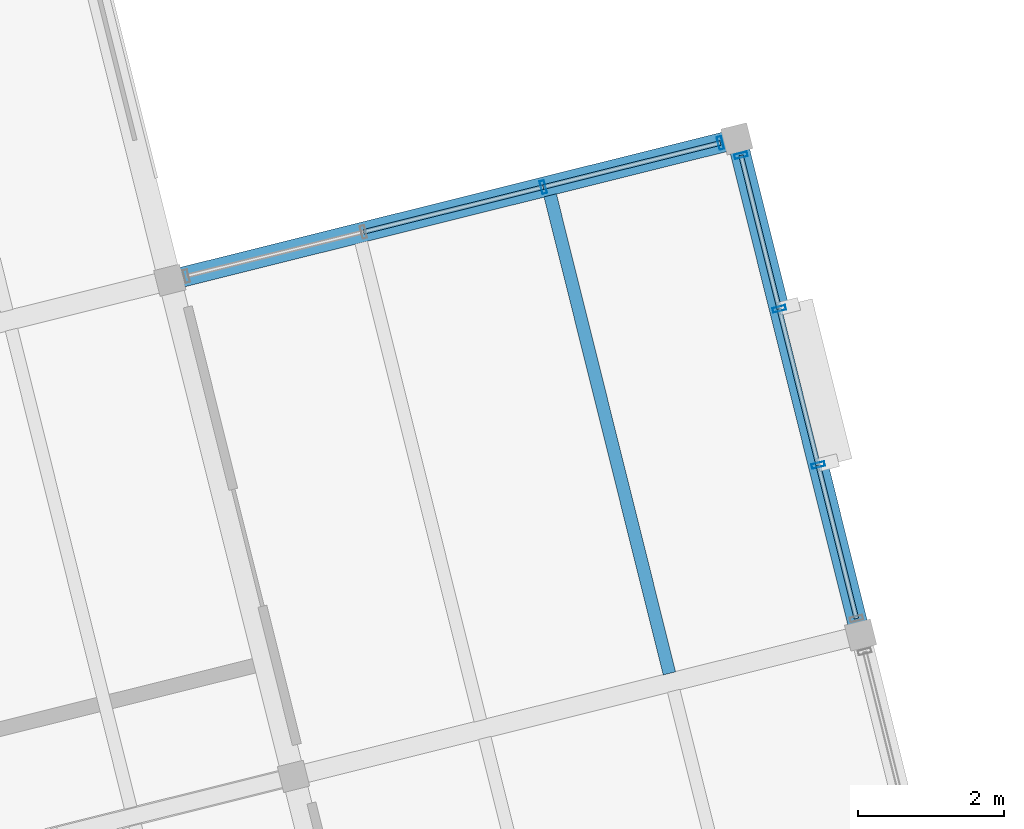
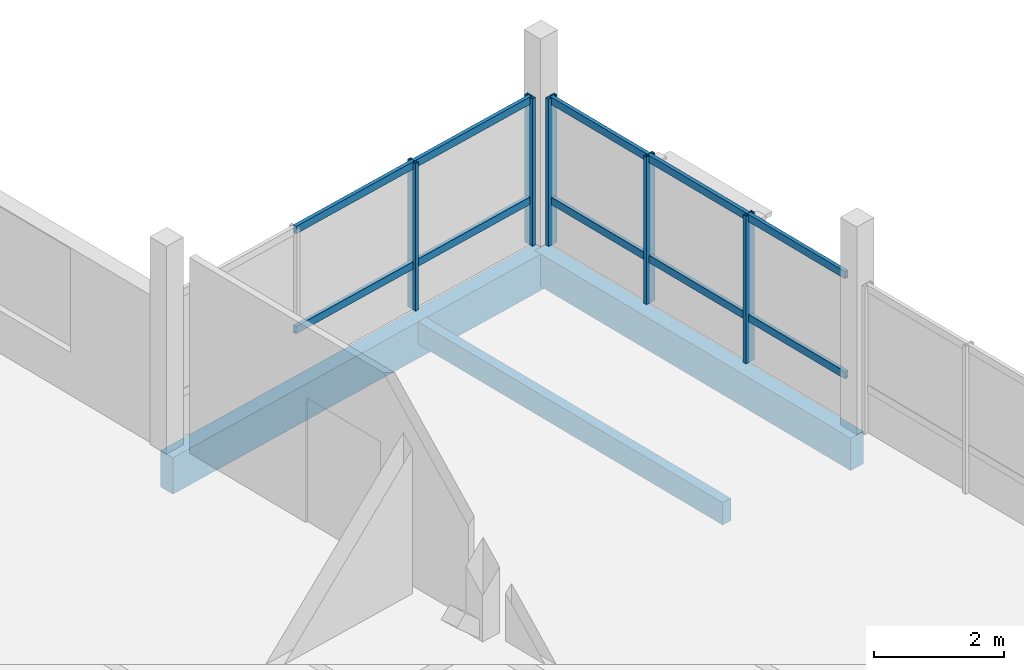
# One storey, part 19 of 26: 15 members, 3 beams, 2 elements without a shape of their own.
"""IFC4 building model written with IfcOpenShell, lengths in metres."""

from ifc_helpers import new_model, si_unit, direction, frame, origin, origin_2d, place, context, subcontext, project, spatial, rectangle, hollow_rectangle, extrude, material, layer, layer_set, material_profile, profile_set, type_object, element, aggregate, save


model = new_model("IFC4")

# Units and contexts
model_context = context("Model", 3, precision=1e-05, world=origin(), true_north=direction((0.0, 1.0)))
body_context = subcontext(model_context, "Body", "Model", "MODEL_VIEW")
ifc_project = project(units=[si_unit("LENGTHUNIT", "METRE"), si_unit("AREAUNIT", "SQUARE_METRE"), si_unit("VOLUMEUNIT", "CUBIC_METRE"), si_unit("PLANEANGLEUNIT", "RADIAN"), si_unit("MASSUNIT", "GRAM", prefix="KILO")], contexts=[model_context])

# Site, building, storey
site_placement = place(None, origin())
site = spatial("IfcSite", under=ifc_project, at=site_placement, CompositionType="ELEMENT")
building_placement = place(site_placement, origin())
building = spatial("IfcBuilding", under=site, at=building_placement, Name="Meriwether Solvik Hall", CompositionType="ELEMENT")
storey_placement = place(building_placement, frame((0.0, 0.0, 41.699951171875)))
storey = spatial("IfcBuildingStorey", under=building, at=storey_placement, Name="L10", CompositionType="ELEMENT", Elevation=41.699951171875)

# Beams
ifc_material_1 = material(Name="Glulam Douglas-Fir 24F-V8 GL28h", Category="wood")
ifc_material_profile_1 = material_profile(ifc_material_1, rectangle(XDim=0.27294921875, YDim=0.610107421875, at=origin_2d()), Name="GLB-273X610")
ifc_profile_set_1 = profile_set([ifc_material_profile_1], Name="Glulam Douglas-Fir 24F-V8 GL28h")
beam_type_1 = type_object("IfcBeamType", Name="BM-GL-273X610", PredefinedType="SPANDREL", material=ifc_profile_set_1)
beam_1_placement = place(storey_placement, frame((106.212646484375, 72.220703125, -0.48486328125), z_axis=(-0.241903692719, 0.970300264582, 0.0), x_axis=(-0.970300264582, -0.241903692719, 0.0)))
element("IfcBeam", 1, at=beam_1_placement, inside=storey, type_object=beam_type_1, Name="Tower Girder T7:TD-TE (L10)", PredefinedType="SPANDREL", context=body_context, shape_type="SweptSolid", body=[
    extrude(rectangle(XDim=0.27294921875, YDim=0.610107421875, at=origin_2d()), origin(), (0.0, 0.0, 1.0), 7.000244140625),
])
ifc_material_2 = material(Name="Glulam Douglas-Fir 24F-V8 GL28h", Category="wood")
ifc_material_profile_2 = material_profile(ifc_material_2, rectangle(XDim=0.27294921875, YDim=0.68505859375, at=origin_2d()), Name="GLB-273X685")
ifc_profile_set_2 = profile_set([ifc_material_profile_2], Name="Glulam Douglas-Fir 24F-V8 GL28h")
beam_type_2 = type_object("IfcBeamType", Name="BM-GL-273X685", PredefinedType="BEAM", material=ifc_profile_set_2)
beam_2_placement = place(storey_placement, frame((96.7568359375, 77.077392578125, -0.5224609375), z_axis=(0.970291312354, 0.241939598187, 0.0), x_axis=(-0.241939598187, 0.970291312354, 0.0)))
element("IfcBeam", 2, at=beam_2_placement, inside=storey, type_object=beam_type_2, Name="Tower Girder TE:T6-T7 (L10)", PredefinedType="BEAM", context=body_context, shape_type="SweptSolid", body=[
    extrude(rectangle(XDim=0.27294921875, YDim=0.68505859375, at=origin_2d()), origin(), (0.0, 0.0, 1.0), 8.000244140625),
])

# Curtain wall, members
ifc_material_3 = material(Name="Thermally Broken Anodised Aluminium 6063-T6 and Low-E Glass", Category="aluminium")
ifc_layer = layer(ifc_material_3, 0.179931640625)
ifc_layer_set = layer_set([ifc_layer], Name="Thermally Broken Anodised Aluminium 6063-T6 and Low-E Glass")
curtain_wall_type = type_object("IfcCurtainWallType", Name="CW-UNIT-E", PredefinedType="USERDEFINED", material=ifc_layer_set)
curtain_wall_1_placement = place(storey_placement, origin())
curtain_wall_1 = element("IfcCurtainWall", 3, at=curtain_wall_1_placement, inside=storey, type_object=curtain_wall_type, Name="Curtain Wall E3_B1 (L10)", ObjectType="UNITISED CURTAIN WALL", PredefinedType="USERDEFINED")
ifc_material_4 = material(Name="Anodised Aluminium 6063-T6", Category="aluminium")
ifc_material_profile_3 = material_profile(ifc_material_4, hollow_rectangle(XDim=0.06494140625, YDim=0.179931640625, WallThickness=0.00439453125, at=origin_2d()), Name="CWM-65X180")
ifc_profile_set_3 = profile_set([ifc_material_profile_3], Name="Anodised Aluminium 6063-T6")
member_type_1 = type_object("IfcMemberType", Name="CW-MUL-65X180", PredefinedType="MULLION", material=ifc_profile_set_3)
member_1_placement = place(storey_placement, frame((104.575439453125, 78.787353515625, 0.0), z_axis=(0.0, 0.0, 1.0), x_axis=(0.241921804422, -0.970295749009, 0.0)))
member_1 = element("IfcMember", 4, at=member_1_placement, type_object=member_type_1, Name="Curtain Wall Mullion 1", PredefinedType="MULLION", context=body_context, shape_type="SweptSolid", body=[
    extrude(hollow_rectangle(XDim=0.06494140625, YDim=0.179931640625, WallThickness=0.00439453125, at=origin_2d()), origin(), (0.0, 0.0, 1.0), 2.77001953125),
])
member_2_placement = place(storey_placement, frame((105.099365234375, 76.685791015625, 0.0), z_axis=(0.0, 0.0, 1.0), x_axis=(0.241921804422, -0.970295749009, 0.0)))
member_2 = element("IfcMember", 5, at=member_2_placement, type_object=member_type_1, Name="Curtain Wall Mullion 2", PredefinedType="MULLION", context=body_context, shape_type="SweptSolid", body=[
    extrude(hollow_rectangle(XDim=0.06494140625, YDim=0.179931640625, WallThickness=0.00439453125, at=origin_2d()), origin(), (0.0, 0.0, 1.0), 2.77001953125),
])
member_3_placement = place(storey_placement, frame((105.632568359375, 74.547607421875, 0.0), z_axis=(0.0, 0.0, 1.0), x_axis=(0.241921804422, -0.970295749009, 0.0)))
member_3 = element("IfcMember", 6, at=member_3_placement, type_object=member_type_1, Name="Curtain Wall Mullion 3", PredefinedType="MULLION", context=body_context, shape_type="SweptSolid", body=[
    extrude(hollow_rectangle(XDim=0.06494140625, YDim=0.179931640625, WallThickness=0.00439453125, at=origin_2d()), origin(), (0.0, 0.0, 1.0), 2.77001953125),
])

curtain_wall_2_placement = place(storey_placement, origin())
curtain_wall_2 = element("IfcCurtainWall", 7, at=curtain_wall_2_placement, inside=storey, type_object=curtain_wall_type, Name="Curtain Wall E4_B0 (L10)", ObjectType="UNITISED CURTAIN WALL", PredefinedType="USERDEFINED")
member_4_placement = place(storey_placement, frame((101.868896484375, 78.35205078125, 0.0), z_axis=(0.0, 0.0, 1.0), x_axis=(0.970295706376, 0.241921975414, 0.0)))
member_4 = element("IfcMember", 8, at=member_4_placement, type_object=member_type_1, Name="Curtain Wall Mullion 3", PredefinedType="MULLION", context=body_context, shape_type="SweptSolid", body=[
    extrude(hollow_rectangle(XDim=0.06494140625, YDim=0.179931640625, WallThickness=0.00439453125, at=origin_2d()), origin(), (0.0, 0.0, 1.0), 2.77001953125),
])
member_5_placement = place(storey_placement, frame((104.293701171875, 78.95654296875, 0.0), z_axis=(0.0, 0.0, 1.0), x_axis=(0.970295706376, 0.241921975414, 0.0)))
member_5 = element("IfcMember", 9, at=member_5_placement, type_object=member_type_1, Name="Curtain Wall Mullion 4", PredefinedType="MULLION", context=body_context, shape_type="SweptSolid", body=[
    extrude(hollow_rectangle(XDim=0.06494140625, YDim=0.179931640625, WallThickness=0.00439453125, at=origin_2d()), origin(), (0.0, 0.0, 1.0), 2.77001953125),
])

# Member
ifc_material_5 = material(Name="Anodised Aluminium 6063-T6", Category="aluminium")
ifc_material_profile_4 = material_profile(ifc_material_5, hollow_rectangle(XDim=0.06494140625, YDim=0.139892578125, WallThickness=0.00439453125, at=origin_2d()), Name="CWT-65X140")
ifc_profile_set_4 = profile_set([ifc_material_profile_4], Name="Anodised Aluminium 6063-T6")
member_type_2 = type_object("IfcMemberType", Name="CW-TRN-65X140", PredefinedType="USERDEFINED", material=ifc_profile_set_4)
member_6_placement = place(storey_placement, frame((104.575439453125, 78.787353515625, 0.8310546875), z_axis=(0.241899031329, -0.970301426693, 0.0), x_axis=(0.970301426693, 0.241899031329, 0.0)))
member_6 = element("IfcMember", 10, at=member_6_placement, type_object=member_type_2, Name="Curtain Wall Transom 1-sill", ObjectType="TRANSOM", PredefinedType="USERDEFINED", context=body_context, shape_type="SweptSolid", body=[
    extrude(hollow_rectangle(XDim=0.06494140625, YDim=0.139892578125, WallThickness=0.00439453125, at=origin_2d()), origin(), (0.0, 0.0, 1.0), 2.165771484375),
])

member_7_placement = place(storey_placement, frame((104.575439453125, 78.787353515625, 2.7099609375), z_axis=(0.241899031329, -0.970301426693, 0.0), x_axis=(0.970301426693, 0.241899031329, 0.0)))
member_7 = element("IfcMember", 11, at=member_7_placement, type_object=member_type_2, Name="Curtain Wall Transom 1-head", ObjectType="TRANSOM", PredefinedType="USERDEFINED", context=body_context, shape_type="SweptSolid", body=[
    extrude(hollow_rectangle(XDim=0.06494140625, YDim=0.139892578125, WallThickness=0.00439453125, at=origin_2d()), origin(), (0.0, 0.0, 1.0), 2.165771484375),
])

member_8_placement = place(storey_placement, frame((105.099365234375, 76.685791015625, 0.8310546875), z_axis=(0.241962089235, -0.970285703993, 0.0), x_axis=(0.970285703993, 0.241962089235, 0.0)))
member_8 = element("IfcMember", 12, at=member_8_placement, type_object=member_type_2, Name="Curtain Wall Transom 2-sill", ObjectType="TRANSOM", PredefinedType="USERDEFINED", context=body_context, shape_type="SweptSolid", body=[
    extrude(hollow_rectangle(XDim=0.06494140625, YDim=0.139892578125, WallThickness=0.00439453125, at=origin_2d()), origin(), (0.0, 0.0, 1.0), 2.20361328125),
])

member_9_placement = place(storey_placement, frame((105.099365234375, 76.685791015625, 2.7099609375), z_axis=(0.241962089235, -0.970285703993, 0.0), x_axis=(0.970285703993, 0.241962089235, 0.0)))
member_9 = element("IfcMember", 13, at=member_9_placement, type_object=member_type_2, Name="Curtain Wall Transom 2-head", ObjectType="TRANSOM", PredefinedType="USERDEFINED", context=body_context, shape_type="SweptSolid", body=[
    extrude(hollow_rectangle(XDim=0.06494140625, YDim=0.139892578125, WallThickness=0.00439453125, at=origin_2d()), origin(), (0.0, 0.0, 1.0), 2.20361328125),
])

member_10_placement = place(storey_placement, frame((105.632568359375, 74.547607421875, 0.8310546875), z_axis=(0.241925491414, -0.970294829732, 0.0), x_axis=(0.970294829732, 0.241925491414, 0.0)))
member_10 = element("IfcMember", 14, at=member_10_placement, type_object=member_type_2, Name="Curtain Wall Transom 3-sill", ObjectType="TRANSOM", PredefinedType="USERDEFINED", context=body_context, shape_type="SweptSolid", body=[
    extrude(hollow_rectangle(XDim=0.06494140625, YDim=0.139892578125, WallThickness=0.00439453125, at=origin_2d()), origin(), (0.0, 0.0, 1.0), 2.16552734375),
])

member_11_placement = place(storey_placement, frame((105.632568359375, 74.547607421875, 2.7099609375), z_axis=(0.241925491414, -0.970294829732, 0.0), x_axis=(0.970294829732, 0.241925491414, 0.0)))
member_11 = element("IfcMember", 15, at=member_11_placement, type_object=member_type_2, Name="Curtain Wall Transom 3-head", ObjectType="TRANSOM", PredefinedType="USERDEFINED", context=body_context, shape_type="SweptSolid", body=[
    extrude(hollow_rectangle(XDim=0.06494140625, YDim=0.139892578125, WallThickness=0.00439453125, at=origin_2d()), origin(), (0.0, 0.0, 1.0), 2.16552734375),
])

aggregate(curtain_wall_1, [member_1, member_2, member_3, member_6, member_7, member_8, member_9, member_10, member_11])

member_12_placement = place(storey_placement, frame((99.4072265625, 77.73828125, 0.8310546875), z_axis=(0.970295144672, 0.241924228276, 0.0), x_axis=(-0.241924228276, 0.970295144672, 0.0)))
member_12 = element("IfcMember", 16, at=member_12_placement, type_object=member_type_2, Name="Curtain Wall Transom 2-sill", ObjectType="TRANSOM", PredefinedType="USERDEFINED", context=body_context, shape_type="SweptSolid", body=[
    extrude(hollow_rectangle(XDim=0.06494140625, YDim=0.139892578125, WallThickness=0.00439453125, at=origin_2d()), origin(), (0.0, 0.0, 1.0), 2.537109375),
])

member_13_placement = place(storey_placement, frame((99.4072265625, 77.73828125, 2.7099609375), z_axis=(0.970295144672, 0.241924228276, 0.0), x_axis=(-0.241924228276, 0.970295144672, 0.0)))
member_13 = element("IfcMember", 17, at=member_13_placement, type_object=member_type_2, Name="Curtain Wall Transom 2-head", ObjectType="TRANSOM", PredefinedType="USERDEFINED", context=body_context, shape_type="SweptSolid", body=[
    extrude(hollow_rectangle(XDim=0.06494140625, YDim=0.139892578125, WallThickness=0.00439453125, at=origin_2d()), origin(), (0.0, 0.0, 1.0), 2.537109375),
])

member_14_placement = place(storey_placement, frame((101.868896484375, 78.35205078125, 0.8310546875), z_axis=(0.970303195461, 0.241891936363, 0.0), x_axis=(-0.241891936363, 0.970303195461, 0.0)))
member_14 = element("IfcMember", 18, at=member_14_placement, type_object=member_type_2, Name="Curtain Wall Transom 3-sill", ObjectType="TRANSOM", PredefinedType="USERDEFINED", context=body_context, shape_type="SweptSolid", body=[
    extrude(hollow_rectangle(XDim=0.06494140625, YDim=0.139892578125, WallThickness=0.00439453125, at=origin_2d()), origin(), (0.0, 0.0, 1.0), 2.4990234375),
])

member_15_placement = place(storey_placement, frame((101.868896484375, 78.35205078125, 2.7099609375), z_axis=(0.970303195461, 0.241891936363, 0.0), x_axis=(-0.241891936363, 0.970303195461, 0.0)))
member_15 = element("IfcMember", 19, at=member_15_placement, type_object=member_type_2, Name="Curtain Wall Transom 3-head", ObjectType="TRANSOM", PredefinedType="USERDEFINED", context=body_context, shape_type="SweptSolid", body=[
    extrude(hollow_rectangle(XDim=0.06494140625, YDim=0.139892578125, WallThickness=0.00439453125, at=origin_2d()), origin(), (0.0, 0.0, 1.0), 2.4990234375),
])

aggregate(curtain_wall_2, [member_4, member_5, member_12, member_13, member_14, member_15])

# Beam
ifc_material_6 = material(Name="Glulam Douglas-Fir 24F-V8 GL28h", Category="wood")
ifc_material_profile_5 = material_profile(ifc_material_6, rectangle(XDim=0.175048828125, YDim=0.419921875, at=origin_2d()), Name="GLJ-175X420")
ifc_profile_set_5 = profile_set([ifc_material_profile_5], Name="Glulam Douglas-Fir 24F-V8 GL28h")
beam_type_3 = type_object("IfcBeamType", Name="JST-GL-175X420", PredefinedType="JOIST", material=ifc_profile_set_5)
beam_3_placement = place(storey_placement, frame((103.595458984375, 71.695068359375, -0.389892578125), z_axis=(-0.241913907509, 0.970297717896, 0.0), x_axis=(-0.970297717896, -0.241913907509, 0.0)))
element("IfcBeam", 20, at=beam_3_placement, inside=storey, type_object=beam_type_3, Name="Glulam Floor Joist T6/TD-J2 (L10)", PredefinedType="JOIST", context=body_context, shape_type="SweptSolid", body=[
    extrude(rectangle(XDim=0.175048828125, YDim=0.419921875, at=origin_2d()), origin(), (0.0, 0.0, 1.0), 6.74560546875),
])

save(model, "model.ifc")
